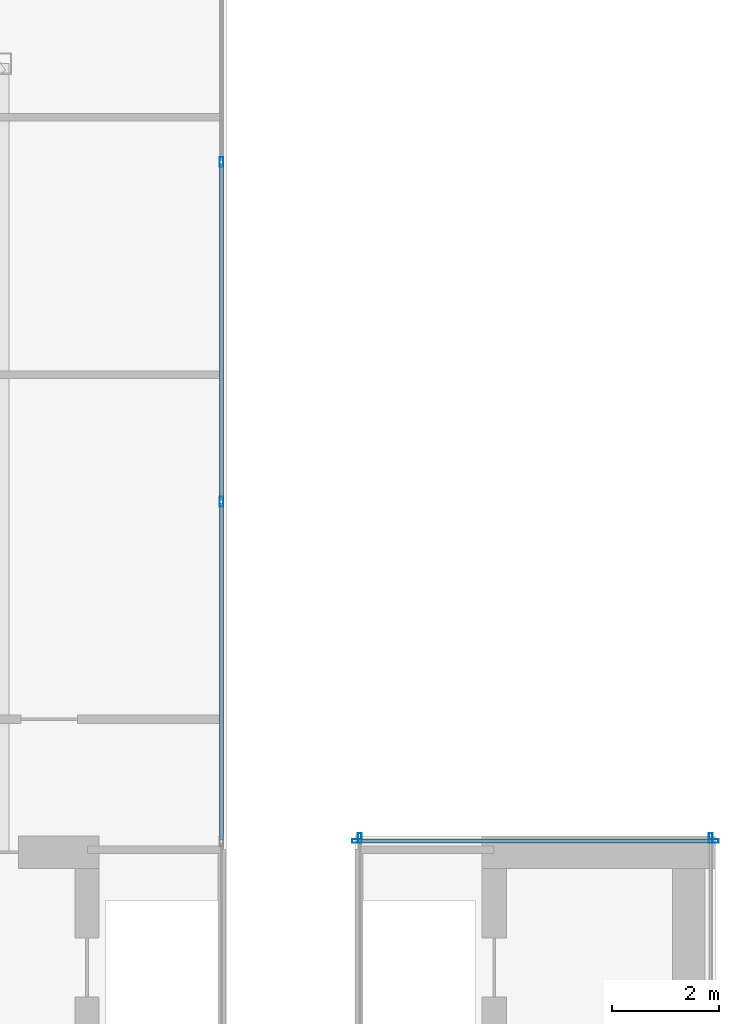
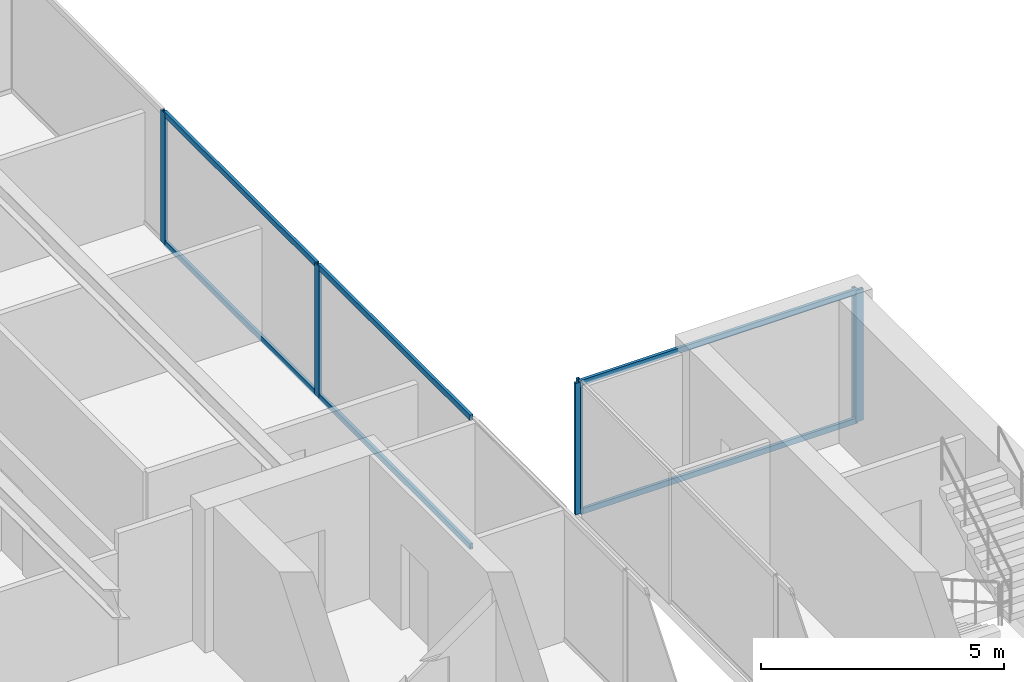
# One storey, part 11 of 16: 12 members, 4 elements without a shape of their own.
"""IFC4 building model written with IfcOpenShell, lengths in metres."""

from ifc_helpers import new_model, si_unit, direction, frame, origin, origin_2d, place, context, subcontext, project, spatial, hollow_rectangle, extrude, source, transform, mapped, material, material_profile, profile_set, type_object, type_shapes, element, aggregate, save


model = new_model("IFC4")

# Units and contexts
model_context = context("Model", 3, precision=1e-05, world=origin(), true_north=direction((0.0, 1.0)))
body_context = subcontext(model_context, "Body", "Model", "MODEL_VIEW")
ifc_project = project(units=[si_unit("LENGTHUNIT", "METRE"), si_unit("AREAUNIT", "SQUARE_METRE"), si_unit("VOLUMEUNIT", "CUBIC_METRE"), si_unit("PLANEANGLEUNIT", "RADIAN"), si_unit("MASSUNIT", "GRAM", prefix="KILO")], contexts=[model_context])

# Site, building, storey
site_placement = place(None, origin())
site = spatial("IfcSite", under=ifc_project, at=site_placement, CompositionType="ELEMENT")
building_placement = place(site_placement, origin())
building = spatial("IfcBuilding", under=site, at=building_placement, Name="Krantzveldt Concourse Tower", CompositionType="ELEMENT")
storey_placement = place(building_placement, frame((0.0, 0.0, 381.85009765625)))
storey = spatial("IfcBuildingStorey", under=building, at=storey_placement, Name="L94", CompositionType="ELEMENT", Elevation=381.85009765625)

# Curtain wall, members
ifc_material = material(Name="Anodised aluminium 6063-T6", Category="aluminium")
curtain_wall_type = type_object("IfcCurtainWallType", Name="CW7", PredefinedType="USERDEFINED", material=ifc_material)
curtain_wall_1_placement = place(storey_placement, origin())
curtain_wall_1 = element("IfcCurtainWall", 1, at=curtain_wall_1_placement, inside=storey, type_object=curtain_wall_type, Name="CW-L94-WEST-01", ObjectType="UNITISED CURTAIN WALL", PredefinedType="USERDEFINED")
ifc_material_profile_1 = material_profile(ifc_material, hollow_rectangle(XDim=0.070068359375, YDim=0.139892578125, WallThickness=0.0048828125, at=origin_2d()), Name="Anodised aluminium 6063-T6", Category="aluminium")
ifc_profile_set_1 = profile_set([ifc_material_profile_1], Name="Anodised aluminium 6063-T6 - ALU-TRAN 140x70x5")
member_type_1 = type_object("IfcMemberType", Name="CW-TRN-150", PredefinedType="USERDEFINED", material=ifc_profile_set_1)
shared_shape_1 = source(origin(), body_context, "Body", "SweptSolid", [
    extrude(hollow_rectangle(XDim=0.070068359375, YDim=0.139892578125, WallThickness=0.0048828125, at=origin_2d()), origin(), (0.0, 0.0, 1.0), 6.263427734375),
])
member_1_placement = place(storey_placement, frame((34.7099609375, 33.068359375, 0.034912109375), z_axis=(0.0, 1.0, 0.0), x_axis=(-1.0, 0.0, 0.0)))
member_1 = element("IfcMember", 2, at=member_1_placement, type_object=member_type_1, Name="CW-CRN transom 5.1", ObjectType="TRANSOM", PredefinedType="USERDEFINED", context=body_context, shape_type="MappedRepresentation", body=[
    mapped(shared_shape_1, transform((0.0, 0.0, 0.0), x_axis=(1.0, 0.0, 0.0), y_axis=(0.0, 1.0, 0.0), z_axis=(0.0, 0.0, 1.0), scale=1.0)),
])
member_2_placement = place(storey_placement, frame((34.7099609375, 33.068359375, 3.264892578125), z_axis=(0.0, 1.0, 0.0), x_axis=(-1.0, 0.0, 0.0)))
member_2 = element("IfcMember", 3, at=member_2_placement, type_object=member_type_1, Name="CW-CRN transom 5.2", ObjectType="TRANSOM", PredefinedType="USERDEFINED", context=body_context, shape_type="MappedRepresentation", body=[
    mapped(shared_shape_1, transform((0.0, 0.0, 0.0), x_axis=(1.0, 0.0, 0.0), y_axis=(0.0, 1.0, 0.0), z_axis=(0.0, 0.0, 1.0), scale=1.0)),
])
shared_shape_2 = source(origin(), body_context, "Body", "SweptSolid", [
    extrude(hollow_rectangle(XDim=0.070068359375, YDim=0.139892578125, WallThickness=0.0048828125, at=origin_2d()), origin(), (0.0, 0.0, 1.0), 6.26318359375),
])
member_3_placement = place(storey_placement, frame((34.7099609375, 26.735107421875, 0.034912109375), z_axis=(0.0, 1.0, 0.0), x_axis=(-1.0, 0.0, 0.0)))
member_3 = element("IfcMember", 4, at=member_3_placement, type_object=member_type_1, Name="CW-CRN transom 4.1", ObjectType="TRANSOM", PredefinedType="USERDEFINED", context=body_context, shape_type="MappedRepresentation", body=[
    mapped(shared_shape_2, transform((0.0, 0.0, 0.0), x_axis=(1.0, 0.0, 0.0), y_axis=(0.0, 1.0, 0.0), z_axis=(0.0, 0.0, 1.0), scale=1.0)),
])
member_4_placement = place(storey_placement, frame((34.7099609375, 26.735107421875, 3.264892578125), z_axis=(0.0, 1.0, 0.0), x_axis=(-1.0, 0.0, 0.0)))
member_4 = element("IfcMember", 5, at=member_4_placement, type_object=member_type_1, Name="CW-CRN transom 4.2", ObjectType="TRANSOM", PredefinedType="USERDEFINED", context=body_context, shape_type="MappedRepresentation", body=[
    mapped(shared_shape_2, transform((0.0, 0.0, 0.0), x_axis=(1.0, 0.0, 0.0), y_axis=(0.0, 1.0, 0.0), z_axis=(0.0, 0.0, 1.0), scale=1.0)),
])

curtain_wall_2_placement = place(storey_placement, origin())
curtain_wall_2 = element("IfcCurtainWall", 6, at=curtain_wall_2_placement, inside=storey, type_object=curtain_wall_type, Name="CW-L94-EAST-02", ObjectType="UNITISED CURTAIN WALL", PredefinedType="USERDEFINED")
shared_shape_3 = source(origin(), body_context, "Body", "SweptSolid", [
    extrude(hollow_rectangle(XDim=0.070068359375, YDim=0.139892578125, WallThickness=0.0048828125, at=origin_2d()), origin(), (0.0, 0.0, 1.0), 6.580078125),
])
type_shapes(member_type_1, [shared_shape_1, shared_shape_2, shared_shape_3])
member_5_placement = place(storey_placement, frame((43.85009765625, 26.7099609375, 0.034912109375), z_axis=(-1.0, 0.0, 0.0), x_axis=(0.0, -1.0, 0.0)))
member_5 = element("IfcMember", 7, at=member_5_placement, type_object=member_type_1, Name="CW-CRN transom 1.1", ObjectType="TRANSOM", PredefinedType="USERDEFINED", context=body_context, shape_type="MappedRepresentation", body=[
    mapped(shared_shape_3, transform((0.0, 0.0, 0.0), x_axis=(1.0, 0.0, 0.0), y_axis=(0.0, 1.0, 0.0), z_axis=(0.0, 0.0, 1.0), scale=1.0)),
])
member_6_placement = place(storey_placement, frame((43.85009765625, 26.7099609375, 3.264892578125), z_axis=(-1.0, 0.0, 0.0), x_axis=(0.0, -1.0, 0.0)))
member_6 = element("IfcMember", 8, at=member_6_placement, type_object=member_type_1, Name="CW-CRN transom 1.2", ObjectType="TRANSOM", PredefinedType="USERDEFINED", context=body_context, shape_type="MappedRepresentation", body=[
    mapped(shared_shape_3, transform((0.0, 0.0, 0.0), x_axis=(1.0, 0.0, 0.0), y_axis=(0.0, 1.0, 0.0), z_axis=(0.0, 0.0, 1.0), scale=1.0)),
])

# Member
ifc_material_profile_2 = material_profile(ifc_material, hollow_rectangle(XDim=0.070068359375, YDim=0.179931640625, WallThickness=0.0048828125, at=origin_2d()), Name="Anodised aluminium 6063-T6", Category="aluminium")
ifc_profile_set_2 = profile_set([ifc_material_profile_2], Name="Anodised aluminium 6063-T6 - ALU-MULL 180x70x5")
member_type_2 = type_object("IfcMemberType", Name="CW-MUL-180", PredefinedType="MULLION", material=ifc_profile_set_2)
shared_shape_4 = source(origin(), body_context, "Body", "SweptSolid", [
    extrude(hollow_rectangle(XDim=0.070068359375, YDim=0.179931640625, WallThickness=0.0048828125, at=origin_2d()), origin(), (0.0, 0.0, 1.0), 3.2998046875),
])
type_shapes(member_type_2, [shared_shape_4])
member_7_placement = place(storey_placement, frame((34.7099609375, 33.033447265625, 0.0), z_axis=(0.0, 0.0, 1.0), x_axis=(-1.0, 0.0, 0.0)))
member_7 = element("IfcMember", 9, at=member_7_placement, type_object=member_type_2, Name="CW-CRN mullion 5", PredefinedType="MULLION", context=body_context, shape_type="MappedRepresentation", body=[
    mapped(shared_shape_4, transform((0.0, 0.0, 0.0), x_axis=(1.0, 0.0, 0.0), y_axis=(0.0, 1.0, 0.0), z_axis=(0.0, 0.0, 1.0), scale=1.0)),
])

member_8_placement = place(storey_placement, frame((34.7099609375, 39.36669921875, 0.0), z_axis=(0.0, 0.0, 1.0), x_axis=(-1.0, 0.0, 0.0)))
member_8 = element("IfcMember", 10, at=member_8_placement, type_object=member_type_2, Name="CW-CRN mullion 6", PredefinedType="MULLION", context=body_context, shape_type="MappedRepresentation", body=[
    mapped(shared_shape_4, transform((0.0, 0.0, 0.0), x_axis=(1.0, 0.0, 0.0), y_axis=(0.0, 1.0, 0.0), z_axis=(0.0, 0.0, 1.0), scale=1.0)),
])

aggregate(curtain_wall_1, [member_7, member_8, member_3, member_4, member_1, member_2])

# Curtain wall, member
curtain_wall_3_placement = place(storey_placement, origin())
curtain_wall_3 = element("IfcCurtainWall", 11, at=curtain_wall_3_placement, inside=storey, type_object=curtain_wall_type, Name="CW-L94-EAST-01", ObjectType="UNITISED CURTAIN WALL", PredefinedType="USERDEFINED")
member_9_placement = place(storey_placement, frame((43.830078125, 26.764892578125, 0.0), z_axis=(0.0, 0.0, 1.0), x_axis=(-1.0, 0.0, 0.0)))
member_9 = element("IfcMember", 12, at=member_9_placement, type_object=member_type_2, Name="CW-CRN mullion 3", PredefinedType="MULLION", context=body_context, shape_type="MappedRepresentation", body=[
    mapped(shared_shape_4, transform((0.0, 0.0, 0.0), x_axis=(1.0, 0.0, 0.0), y_axis=(0.0, 1.0, 0.0), z_axis=(0.0, 0.0, 1.0), scale=1.0)),
])
aggregate(curtain_wall_3, [member_9])

# Member
member_10_placement = place(storey_placement, frame((43.885009765625, 26.7099609375, 0.0), z_axis=(0.0, 0.0, 1.0), x_axis=(0.0, -1.0, 0.0)))
member_10 = element("IfcMember", 13, at=member_10_placement, type_object=member_type_2, Name="CW-CRN mullion 1", PredefinedType="MULLION", context=body_context, shape_type="MappedRepresentation", body=[
    mapped(shared_shape_4, transform((0.0, 0.0, 0.0), x_axis=(1.0, 0.0, 0.0), y_axis=(0.0, 1.0, 0.0), z_axis=(0.0, 0.0, 1.0), scale=1.0)),
])

member_11_placement = place(storey_placement, frame((37.235107421875, 26.7099609375, 0.0), z_axis=(0.0, 0.0, 1.0), x_axis=(0.0, -1.0, 0.0)))
member_11 = element("IfcMember", 14, at=member_11_placement, type_object=member_type_2, Name="CW-CRN mullion 2", PredefinedType="MULLION", context=body_context, shape_type="MappedRepresentation", body=[
    mapped(shared_shape_4, transform((0.0, 0.0, 0.0), x_axis=(1.0, 0.0, 0.0), y_axis=(0.0, 1.0, 0.0), z_axis=(0.0, 0.0, 1.0), scale=1.0)),
])

aggregate(curtain_wall_2, [member_10, member_11, member_5, member_6])

# Curtain wall, member
curtain_wall_4_placement = place(storey_placement, origin())
curtain_wall_4 = element("IfcCurtainWall", 15, at=curtain_wall_4_placement, inside=storey, type_object=curtain_wall_type, Name="CW-L94-EAST-03", ObjectType="UNITISED CURTAIN WALL", PredefinedType="USERDEFINED")
member_12_placement = place(storey_placement, frame((37.2900390625, 26.764892578125, 0.0), z_axis=(0.0, 0.0, 1.0), x_axis=(1.0, 0.0, 0.0)))
member_12 = element("IfcMember", 16, at=member_12_placement, type_object=member_type_2, Name="CW-CRN mullion 1", PredefinedType="MULLION", context=body_context, shape_type="MappedRepresentation", body=[
    mapped(shared_shape_4, transform((0.0, 0.0, 0.0), x_axis=(1.0, 0.0, 0.0), y_axis=(0.0, 1.0, 0.0), z_axis=(0.0, 0.0, 1.0), scale=1.0)),
])
aggregate(curtain_wall_4, [member_12])

save(model, "model.ifc")
